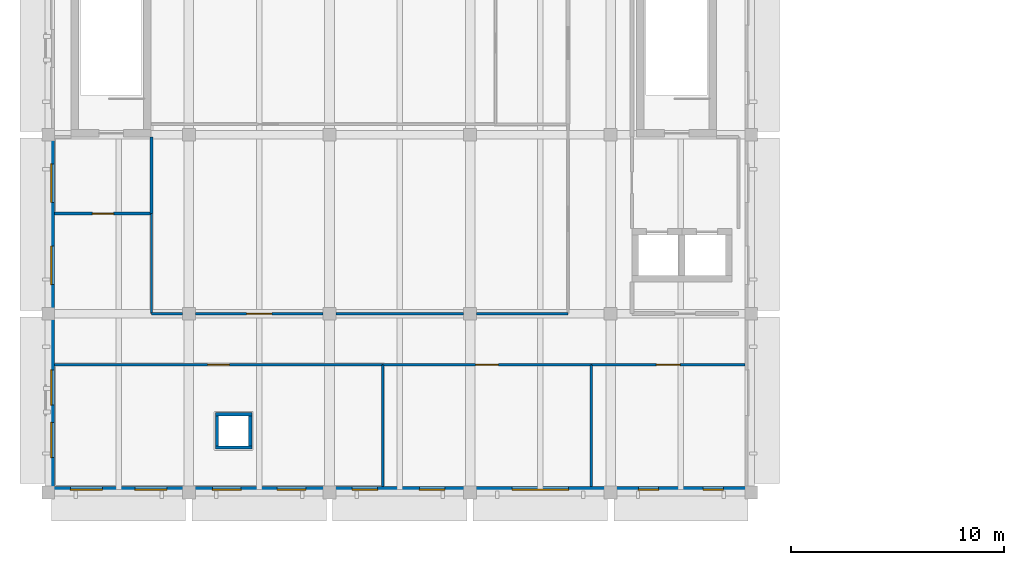
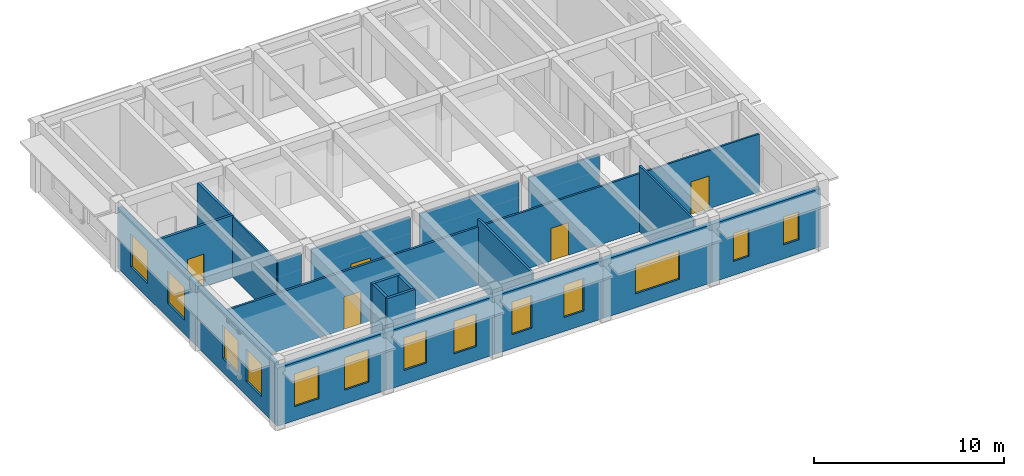
# One storey, part 6 of 20: 23 walls, 13 windows, 5 doors, 18 openings.
"""IFC4 building model written with IfcOpenShell, lengths in metres."""

from ifc_helpers import new_model, si_unit, direction, frame, frame_2d, origin, place, context, subcontext, project, spatial, rectangle, extrude, material, layer, layer_set, type_object, element, fill, save


model = new_model("IFC4")

# Units and contexts
model_context = context("Model", 3, precision=1e-05, world=origin(), true_north=direction((0.0, 1.0)))
body_context = subcontext(model_context, "Body", "Model", "MODEL_VIEW")
ifc_project = project(units=[si_unit("LENGTHUNIT", "METRE"), si_unit("AREAUNIT", "SQUARE_METRE"), si_unit("VOLUMEUNIT", "CUBIC_METRE"), si_unit("PLANEANGLEUNIT", "RADIAN"), si_unit("MASSUNIT", "GRAM", prefix="KILO")], contexts=[model_context])

# Site, building, storey
site_placement = place(None, origin())
site = spatial("IfcSite", under=ifc_project, at=site_placement, CompositionType="ELEMENT")
building_placement = place(site_placement, origin())
building = spatial("IfcBuilding", under=site, at=building_placement, Name="Kolvaren Faculty of Natural Sciences", CompositionType="ELEMENT")
storey_placement = place(building_placement, frame((0.0, 0.0, 24.0)))
storey = spatial("IfcBuildingStorey", under=building, at=storey_placement, Name="L05", CompositionType="ELEMENT", Elevation=24.0)

# Wall, openings, windows
ifc_material_1 = material(Name="Precast concrete C35/45", Category="concrete")
ifc_layer_1 = layer(ifc_material_1, 0.280029296875)
ifc_layer_set_1 = layer_set([ifc_layer_1], Name="Precast concrete C35/45")
wall_type_1 = type_object("IfcWallType", Name="ExteriorPrecastWall_280", PredefinedType="STANDARD", material=ifc_layer_set_1)
wall_1_placement = place(storey_placement, frame((39.800048828125, 17.139892578125, 0.0), z_axis=(0.0, 0.0, 1.0), x_axis=(-1.0, 0.0, 0.0)))
wall_1 = element("IfcWall", 1, at=wall_1_placement, inside=storey, type_object=wall_type_1, Name="L05 exterior masonry wall EW-280 (672)", PredefinedType="STANDARD", context=body_context, shape_type="SweptSolid", body=[
    extrude(rectangle(XDim=6.60009765625, YDim=0.280029296875, at=frame_2d((3.300048828125, 0.0))), origin(), (0.0, 0.0, 1.0), 3.735107421875),
])
opening_1_placement = place(wall_1_placement, frame((1.306884765625, 0.0, 0.89990234375)))
opening_1 = element("IfcOpeningElement", 2, at=opening_1_placement, cuts=wall_1, Name="Opening WIN-23", PredefinedType="OPENING", context=body_context, shape_type="SweptSolid", body=[
    extrude(rectangle(XDim=0.949951171875, YDim=1.800048828125, at=frame_2d((0.47509765625, 0.89990234375))), frame((0.0, 0.14990234375, 0.0), z_axis=(0.0, -1.0, 0.0), x_axis=(1.0, 0.0, 0.0)), (0.0, 0.0, 1.0), 0.300048828125),
])
opening_2_placement = place(wall_1_placement, frame((4.343017578125, 0.0, 0.89990234375)))
opening_2 = element("IfcOpeningElement", 3, at=opening_2_placement, cuts=wall_1, Name="Opening WIN-23", PredefinedType="OPENING", context=body_context, shape_type="SweptSolid", body=[
    extrude(rectangle(XDim=0.949951171875, YDim=1.800048828125, at=frame_2d((0.47509765625, 0.89990234375))), frame((0.0, 0.14990234375, 0.0), z_axis=(0.0, -1.0, 0.0), x_axis=(1.0, 0.0, 0.0)), (0.0, 0.0, 1.0), 0.300048828125),
])
ifc_material_2 = material(Name="Double low-E solar control insulated glazing", Category="glass")
window_type_1 = type_object("IfcWindowType", Name="AluWindow_WIN23_950x1800", PartitioningType="SINGLE_PANEL", PredefinedType="WINDOW", material=ifc_material_2)
window_1_placement = place(opening_1_placement, origin())
window_1 = element("IfcWindow", 4, at=window_1_placement, inside=storey, type_object=window_type_1, Name="WIN-L05-0493", OverallHeight=1.800048828125, OverallWidth=0.949951171875, PartitioningType="SINGLE_PANEL", PredefinedType="WINDOW", context=body_context, shape_type="SweptSolid", body=[
    extrude(rectangle(XDim=0.949951171875, YDim=1.800048828125, at=frame_2d((0.47509765625, 0.89990234375))), frame((0.0, 0.030029296875, 0.0), z_axis=(0.0, -1.0, 0.0), x_axis=(1.0, 0.0, 0.0)), (0.0, 0.0, 1.0), 0.06005859375),
])
fill(opening_1, window_1)
window_2_placement = place(opening_2_placement, origin())
window_2 = element("IfcWindow", 5, at=window_2_placement, inside=storey, type_object=window_type_1, Name="WIN-L05-0494", OverallHeight=1.800048828125, OverallWidth=0.949951171875, PartitioningType="SINGLE_PANEL", PredefinedType="WINDOW", context=body_context, shape_type="SweptSolid", body=[
    extrude(rectangle(XDim=0.949951171875, YDim=1.800048828125, at=frame_2d((0.47509765625, 0.89990234375))), frame((0.0, 0.030029296875, 0.0), z_axis=(0.0, -1.0, 0.0), x_axis=(1.0, 0.0, 0.0)), (0.0, 0.0, 1.0), 0.06005859375),
])
fill(opening_2, window_2)

# Wall, opening, window
wall_2_placement = place(storey_placement, frame((33.199951171875, 17.139892578125, 0.0), z_axis=(0.0, 0.0, 1.0), x_axis=(-1.0, 0.0, 0.0)))
wall_2 = element("IfcWall", 6, at=wall_2_placement, inside=storey, type_object=wall_type_1, Name="L05 exterior masonry wall EW-280 (673)", PredefinedType="STANDARD", context=body_context, shape_type="SweptSolid", body=[
    extrude(rectangle(XDim=6.599853515625, YDim=0.280029296875, at=frame_2d((3.2998046875, 0.0))), origin(), (0.0, 0.0, 1.0), 3.735107421875),
])
opening_3_placement = place(wall_2_placement, frame((1.97509765625, 0.0, 0.89990234375)))
opening_3 = element("IfcOpeningElement", 7, at=opening_3_placement, cuts=wall_2, Name="Opening WIN-24", PredefinedType="OPENING", context=body_context, shape_type="SweptSolid", body=[
    extrude(rectangle(XDim=2.64990234375, YDim=1.85009765625, at=frame_2d((1.324951171875, 0.925048828125))), frame((0.0, 0.14990234375, 0.0), z_axis=(0.0, -1.0, 0.0), x_axis=(1.0, 0.0, 0.0)), (0.0, 0.0, 1.0), 0.300048828125),
])
window_type_2 = type_object("IfcWindowType", Name="AluWindow_WIN24_2650x1850", PartitioningType="SINGLE_PANEL", PredefinedType="WINDOW", material=ifc_material_2)
window_3_placement = place(opening_3_placement, origin())
window_3 = element("IfcWindow", 8, at=window_3_placement, inside=storey, type_object=window_type_2, Name="WIN-L05-0495", OverallHeight=1.85009765625, OverallWidth=2.64990234375, PartitioningType="SINGLE_PANEL", PredefinedType="WINDOW", context=body_context, shape_type="SweptSolid", body=[
    extrude(rectangle(XDim=2.64990234375, YDim=1.85009765625, at=frame_2d((1.324951171875, 0.925048828125))), frame((0.0, 0.030029296875, 0.0), z_axis=(0.0, -1.0, 0.0), x_axis=(1.0, 0.0, 0.0)), (0.0, 0.0, 1.0), 0.06005859375),
])
fill(opening_3, window_3)

# Wall, openings, windows
wall_3_placement = place(storey_placement, frame((26.60009765625, 17.139892578125, 0.0), z_axis=(0.0, 0.0, 1.0), x_axis=(-1.0, 0.0, 0.0)))
wall_3 = element("IfcWall", 9, at=wall_3_placement, inside=storey, type_object=wall_type_1, Name="L05 exterior masonry wall EW-280 (674)", PredefinedType="STANDARD", context=body_context, shape_type="SweptSolid", body=[
    extrude(rectangle(XDim=6.60009765625, YDim=0.280029296875, at=frame_2d((3.300048828125, 0.0))), origin(), (0.0, 0.0, 1.0), 3.735107421875),
])
opening_4_placement = place(wall_3_placement, frame((1.181884765625, 0.0, 0.89990234375)))
opening_4 = element("IfcOpeningElement", 10, at=opening_4_placement, cuts=wall_3, Name="Opening WIN-01", PredefinedType="OPENING", context=body_context, shape_type="SweptSolid", body=[
    extrude(rectangle(XDim=1.199951171875, YDim=2.10009765625, at=frame_2d((0.60009765625, 1.050048828125))), frame((0.0, 0.14990234375, 0.0), z_axis=(0.0, -1.0, 0.0), x_axis=(1.0, 0.0, 0.0)), (0.0, 0.0, 1.0), 0.300048828125),
])
opening_5_placement = place(wall_3_placement, frame((4.340087890625, 0.0, 0.89990234375)))
opening_5 = element("IfcOpeningElement", 11, at=opening_5_placement, cuts=wall_3, Name="Opening WIN-01", PredefinedType="OPENING", context=body_context, shape_type="SweptSolid", body=[
    extrude(rectangle(XDim=1.199951171875, YDim=2.10009765625, at=frame_2d((0.60009765625, 1.050048828125))), frame((0.0, 0.14990234375, 0.0), z_axis=(0.0, -1.0, 0.0), x_axis=(1.0, 0.0, 0.0)), (0.0, 0.0, 1.0), 0.300048828125),
])
window_type_3 = type_object("IfcWindowType", Name="AluWindow_WIN01_1200x2100", PartitioningType="SINGLE_PANEL", PredefinedType="WINDOW", material=ifc_material_2)
window_4_placement = place(opening_4_placement, origin())
window_4 = element("IfcWindow", 12, at=window_4_placement, inside=storey, type_object=window_type_3, Name="WIN-L05-0496", OverallHeight=2.10009765625, OverallWidth=1.199951171875, PartitioningType="SINGLE_PANEL", PredefinedType="WINDOW", context=body_context, shape_type="SweptSolid", body=[
    extrude(rectangle(XDim=1.199951171875, YDim=2.10009765625, at=frame_2d((0.60009765625, 1.050048828125))), frame((0.0, 0.030029296875, 0.0), z_axis=(0.0, -1.0, 0.0), x_axis=(1.0, 0.0, 0.0)), (0.0, 0.0, 1.0), 0.06005859375),
])
fill(opening_4, window_4)
window_5_placement = place(opening_5_placement, origin())
window_5 = element("IfcWindow", 13, at=window_5_placement, inside=storey, type_object=window_type_3, Name="WIN-L05-0497", OverallHeight=2.10009765625, OverallWidth=1.199951171875, PartitioningType="SINGLE_PANEL", PredefinedType="WINDOW", context=body_context, shape_type="SweptSolid", body=[
    extrude(rectangle(XDim=1.199951171875, YDim=2.10009765625, at=frame_2d((0.60009765625, 1.050048828125))), frame((0.0, 0.030029296875, 0.0), z_axis=(0.0, -1.0, 0.0), x_axis=(1.0, 0.0, 0.0)), (0.0, 0.0, 1.0), 0.06005859375),
])
fill(opening_5, window_5)

wall_4_placement = place(storey_placement, frame((20.0, 17.139892578125, 0.0), z_axis=(0.0, 0.0, 1.0), x_axis=(-1.0, 0.0, 0.0)))
wall_4 = element("IfcWall", 14, at=wall_4_placement, inside=storey, type_object=wall_type_1, Name="L05 exterior masonry wall EW-280 (675)", PredefinedType="STANDARD", context=body_context, shape_type="SweptSolid", body=[
    extrude(rectangle(XDim=6.60009765625, YDim=0.280029296875, at=frame_2d((3.300048828125, 0.0))), origin(), (0.0, 0.0, 1.0), 3.735107421875),
])
opening_6_placement = place(wall_4_placement, frame((1.10693359375, 0.0, 0.89990234375)))
opening_6 = element("IfcOpeningElement", 15, at=opening_6_placement, cuts=wall_4, Name="Opening WIN-02", PredefinedType="OPENING", context=body_context, shape_type="SweptSolid", body=[
    extrude(rectangle(XDim=1.35009765625, YDim=2.10009765625, at=frame_2d((0.675048828125, 1.050048828125))), frame((0.0, 0.14990234375, 0.0), z_axis=(0.0, -1.0, 0.0), x_axis=(1.0, 0.0, 0.0)), (0.0, 0.0, 1.0), 0.300048828125),
])
opening_7_placement = place(wall_4_placement, frame((4.14306640625, 0.0, 0.89990234375)))
opening_7 = element("IfcOpeningElement", 16, at=opening_7_placement, cuts=wall_4, Name="Opening WIN-02", PredefinedType="OPENING", context=body_context, shape_type="SweptSolid", body=[
    extrude(rectangle(XDim=1.35009765625, YDim=2.10009765625, at=frame_2d((0.675048828125, 1.050048828125))), frame((0.0, 0.14990234375, 0.0), z_axis=(0.0, -1.0, 0.0), x_axis=(1.0, 0.0, 0.0)), (0.0, 0.0, 1.0), 0.300048828125),
])
window_type_4 = type_object("IfcWindowType", Name="AluWindow_WIN02_1350x2100", PartitioningType="SINGLE_PANEL", PredefinedType="WINDOW", material=ifc_material_2)
window_6_placement = place(opening_6_placement, origin())
window_6 = element("IfcWindow", 17, at=window_6_placement, inside=storey, type_object=window_type_4, Name="WIN-L05-0498", OverallHeight=2.10009765625, OverallWidth=1.35009765625, PartitioningType="SINGLE_PANEL", PredefinedType="WINDOW", context=body_context, shape_type="SweptSolid", body=[
    extrude(rectangle(XDim=1.35009765625, YDim=2.10009765625, at=frame_2d((0.675048828125, 1.050048828125))), frame((0.0, 0.030029296875, 0.0), z_axis=(0.0, -1.0, 0.0), x_axis=(1.0, 0.0, 0.0)), (0.0, 0.0, 1.0), 0.06005859375),
])
fill(opening_6, window_6)
window_7_placement = place(opening_7_placement, origin())
window_7 = element("IfcWindow", 18, at=window_7_placement, inside=storey, type_object=window_type_4, Name="WIN-L05-0499", OverallHeight=2.10009765625, OverallWidth=1.35009765625, PartitioningType="SINGLE_PANEL", PredefinedType="WINDOW", context=body_context, shape_type="SweptSolid", body=[
    extrude(rectangle(XDim=1.35009765625, YDim=2.10009765625, at=frame_2d((0.675048828125, 1.050048828125))), frame((0.0, 0.030029296875, 0.0), z_axis=(0.0, -1.0, 0.0), x_axis=(1.0, 0.0, 0.0)), (0.0, 0.0, 1.0), 0.06005859375),
])
fill(opening_7, window_7)

wall_5_placement = place(storey_placement, frame((13.39990234375, 17.139892578125, 0.0), z_axis=(0.0, 0.0, 1.0), x_axis=(-1.0, 0.0, 0.0)))
wall_5 = element("IfcWall", 19, at=wall_5_placement, inside=storey, type_object=wall_type_1, Name="L05 exterior masonry wall EW-280 (676)", PredefinedType="STANDARD", context=body_context, shape_type="SweptSolid", body=[
    extrude(rectangle(XDim=6.599853515625, YDim=0.280029296875, at=frame_2d((3.2998046875, 0.0))), origin(), (0.0, 0.0, 1.0), 3.735107421875),
])
opening_8_placement = place(wall_5_placement, frame((1.031982421875, 0.0, 0.89990234375)))
opening_8 = element("IfcOpeningElement", 20, at=opening_8_placement, cuts=wall_5, Name="Opening WIN-03", PredefinedType="OPENING", context=body_context, shape_type="SweptSolid", body=[
    extrude(rectangle(XDim=1.5, YDim=2.10009765625, at=frame_2d((0.75, 1.050048828125))), frame((0.0, 0.14990234375, 0.0), z_axis=(0.0, -1.0, 0.0), x_axis=(1.0, 0.0, 0.0)), (0.0, 0.0, 1.0), 0.300048828125),
])
opening_9_placement = place(wall_5_placement, frame((4.068115234375, 0.0, 0.89990234375)))
opening_9 = element("IfcOpeningElement", 21, at=opening_9_placement, cuts=wall_5, Name="Opening WIN-03", PredefinedType="OPENING", context=body_context, shape_type="SweptSolid", body=[
    extrude(rectangle(XDim=1.5, YDim=2.10009765625, at=frame_2d((0.75, 1.050048828125))), frame((0.0, 0.14990234375, 0.0), z_axis=(0.0, -1.0, 0.0), x_axis=(1.0, 0.0, 0.0)), (0.0, 0.0, 1.0), 0.300048828125),
])
window_type_5 = type_object("IfcWindowType", Name="AluWindow_WIN03_1500x2100", PartitioningType="SINGLE_PANEL", PredefinedType="WINDOW", material=ifc_material_2)
window_8_placement = place(opening_8_placement, origin())
window_8 = element("IfcWindow", 22, at=window_8_placement, inside=storey, type_object=window_type_5, Name="WIN-L05-0500", OverallHeight=2.10009765625, OverallWidth=1.5, PartitioningType="SINGLE_PANEL", PredefinedType="WINDOW", context=body_context, shape_type="SweptSolid", body=[
    extrude(rectangle(XDim=1.5, YDim=2.10009765625, at=frame_2d((0.75, 1.050048828125))), frame((0.0, 0.030029296875, 0.0), z_axis=(0.0, -1.0, 0.0), x_axis=(1.0, 0.0, 0.0)), (0.0, 0.0, 1.0), 0.06005859375),
])
fill(opening_8, window_8)
window_9_placement = place(opening_9_placement, origin())
window_9 = element("IfcWindow", 23, at=window_9_placement, inside=storey, type_object=window_type_5, Name="WIN-L05-0501", OverallHeight=2.10009765625, OverallWidth=1.5, PartitioningType="SINGLE_PANEL", PredefinedType="WINDOW", context=body_context, shape_type="SweptSolid", body=[
    extrude(rectangle(XDim=1.5, YDim=2.10009765625, at=frame_2d((0.75, 1.050048828125))), frame((0.0, 0.030029296875, 0.0), z_axis=(0.0, -1.0, 0.0), x_axis=(1.0, 0.0, 0.0)), (0.0, 0.0, 1.0), 0.06005859375),
])
fill(opening_9, window_9)

wall_6_placement = place(storey_placement, frame((6.93994140625, 17.280029296875, 0.0), z_axis=(0.0, 0.0, 1.0), x_axis=(0.0, 1.0, 0.0)))
wall_6 = element("IfcWall", 24, at=wall_6_placement, inside=storey, type_object=wall_type_1, Name="L05 exterior masonry wall EW-280 (677)", PredefinedType="STANDARD", context=body_context, shape_type="SweptSolid", body=[
    extrude(rectangle(XDim=8.119873046875, YDim=0.280029296875, at=frame_2d((4.06005859375, 0.0))), origin(), (0.0, 0.0, 1.0), 3.885009765625),
])
opening_10_placement = place(wall_6_placement, frame((1.367431640625, 0.0, 0.89990234375)))
opening_10 = element("IfcOpeningElement", 25, at=opening_10_placement, cuts=wall_6, Name="Opening WIN-04", PredefinedType="OPENING", context=body_context, shape_type="SweptSolid", body=[
    extrude(rectangle(XDim=1.64990234375, YDim=2.10009765625, at=frame_2d((0.824951171875, 1.050048828125))), frame((0.0, 0.14990234375, 0.0), z_axis=(0.0, -1.0, 0.0), x_axis=(1.0, 0.0, 0.0)), (0.0, 0.0, 1.0), 0.300048828125),
])
opening_11_placement = place(wall_6_placement, frame((3.830078125, 0.0, 0.89990234375)))
opening_11 = element("IfcOpeningElement", 26, at=opening_11_placement, cuts=wall_6, Name="Opening WIN-04", PredefinedType="OPENING", context=body_context, shape_type="SweptSolid", body=[
    extrude(rectangle(XDim=1.64990234375, YDim=2.10009765625, at=frame_2d((0.824951171875, 1.050048828125))), frame((0.0, 0.14990234375, 0.0), z_axis=(0.0, -1.0, 0.0), x_axis=(1.0, 0.0, 0.0)), (0.0, 0.0, 1.0), 0.300048828125),
])
window_type_6 = type_object("IfcWindowType", Name="AluWindow_WIN04_1650x2100", PartitioningType="SINGLE_PANEL", PredefinedType="WINDOW", material=ifc_material_2)
window_10_placement = place(opening_10_placement, origin())
window_10 = element("IfcWindow", 27, at=window_10_placement, inside=storey, type_object=window_type_6, Name="WIN-L05-0502", OverallHeight=2.10009765625, OverallWidth=1.64990234375, PartitioningType="SINGLE_PANEL", PredefinedType="WINDOW", context=body_context, shape_type="SweptSolid", body=[
    extrude(rectangle(XDim=1.64990234375, YDim=2.10009765625, at=frame_2d((0.824951171875, 1.050048828125))), frame((0.0, 0.030029296875, 0.0), z_axis=(0.0, -1.0, 0.0), x_axis=(1.0, 0.0, 0.0)), (0.0, 0.0, 1.0), 0.06005859375),
])
fill(opening_10, window_10)
window_11_placement = place(opening_11_placement, origin())
window_11 = element("IfcWindow", 28, at=window_11_placement, inside=storey, type_object=window_type_6, Name="WIN-L05-0503", OverallHeight=2.10009765625, OverallWidth=1.64990234375, PartitioningType="SINGLE_PANEL", PredefinedType="WINDOW", context=body_context, shape_type="SweptSolid", body=[
    extrude(rectangle(XDim=1.64990234375, YDim=2.10009765625, at=frame_2d((0.824951171875, 1.050048828125))), frame((0.0, 0.030029296875, 0.0), z_axis=(0.0, -1.0, 0.0), x_axis=(1.0, 0.0, 0.0)), (0.0, 0.0, 1.0), 0.06005859375),
])
fill(opening_11, window_11)

wall_7_placement = place(storey_placement, frame((6.93994140625, 25.39990234375, 0.0), z_axis=(0.0, 0.0, 1.0), x_axis=(0.0, 1.0, 0.0)))
wall_7 = element("IfcWall", 29, at=wall_7_placement, inside=storey, type_object=wall_type_1, Name="L05 exterior masonry wall EW-280 (678)", PredefinedType="STANDARD", context=body_context, shape_type="SweptSolid", body=[
    extrude(rectangle(XDim=8.400146484375, YDim=0.280029296875, at=frame_2d((4.2001953125, 0.0))), origin(), (0.0, 0.0, 1.0), 3.885009765625),
])
opening_12_placement = place(wall_7_placement, frame((1.367919921875, 0.0, 0.89990234375)))
opening_12 = element("IfcOpeningElement", 30, at=opening_12_placement, cuts=wall_7, Name="Opening WIN-05", PredefinedType="OPENING", context=body_context, shape_type="SweptSolid", body=[
    extrude(rectangle(XDim=1.800048828125, YDim=2.10009765625, at=frame_2d((0.89990234375, 1.050048828125))), frame((0.0, 0.14990234375, 0.0), z_axis=(0.0, -1.0, 0.0), x_axis=(1.0, 0.0, 0.0)), (0.0, 0.0, 1.0), 0.300048828125),
])
opening_13_placement = place(wall_7_placement, frame((5.23193359375, 0.0, 0.89990234375)))
opening_13 = element("IfcOpeningElement", 31, at=opening_13_placement, cuts=wall_7, Name="Opening WIN-05", PredefinedType="OPENING", context=body_context, shape_type="SweptSolid", body=[
    extrude(rectangle(XDim=1.800048828125, YDim=2.10009765625, at=frame_2d((0.89990234375, 1.050048828125))), frame((0.0, 0.14990234375, 0.0), z_axis=(0.0, -1.0, 0.0), x_axis=(1.0, 0.0, 0.0)), (0.0, 0.0, 1.0), 0.300048828125),
])
window_type_7 = type_object("IfcWindowType", Name="AluWindow_WIN05_1800x2100", PartitioningType="SINGLE_PANEL", PredefinedType="WINDOW", material=ifc_material_2)
window_12_placement = place(opening_12_placement, origin())
window_12 = element("IfcWindow", 32, at=window_12_placement, inside=storey, type_object=window_type_7, Name="WIN-L05-0504", OverallHeight=2.10009765625, OverallWidth=1.800048828125, PartitioningType="SINGLE_PANEL", PredefinedType="WINDOW", context=body_context, shape_type="SweptSolid", body=[
    extrude(rectangle(XDim=1.800048828125, YDim=2.10009765625, at=frame_2d((0.89990234375, 1.050048828125))), frame((0.0, 0.030029296875, 0.0), z_axis=(0.0, -1.0, 0.0), x_axis=(1.0, 0.0, 0.0)), (0.0, 0.0, 1.0), 0.06005859375),
])
fill(opening_12, window_12)
window_13_placement = place(opening_13_placement, origin())
window_13 = element("IfcWindow", 33, at=window_13_placement, inside=storey, type_object=window_type_7, Name="WIN-L05-0505", OverallHeight=2.10009765625, OverallWidth=1.800048828125, PartitioningType="SINGLE_PANEL", PredefinedType="WINDOW", context=body_context, shape_type="SweptSolid", body=[
    extrude(rectangle(XDim=1.800048828125, YDim=2.10009765625, at=frame_2d((0.89990234375, 1.050048828125))), frame((0.0, 0.030029296875, 0.0), z_axis=(0.0, -1.0, 0.0), x_axis=(1.0, 0.0, 0.0)), (0.0, 0.0, 1.0), 0.06005859375),
])
fill(opening_13, window_13)

# Wall, opening, door
ifc_material_3 = material(Name="Acoustic mineral-wool insulated gypsum partition")
ifc_layer_2 = layer(ifc_material_3, 0.1298828125)
ifc_layer_set_2 = layer_set([ifc_layer_2], Name="Acoustic mineral-wool insulated gypsum partition")
wall_type_2 = type_object("IfcWallType", Name="OfficePartitionWall_130", PredefinedType="PARTITIONING", material=ifc_layer_set_2)
wall_8_placement = place(storey_placement, frame((7.08203125, 23.0, 0.0), z_axis=(0.0, 0.0, 1.0), x_axis=(1.0, 0.0, 0.0)))
wall_8 = element("IfcWall", 34, at=wall_8_placement, inside=storey, type_object=wall_type_2, Name="L05 interior partition PW-130", PredefinedType="PARTITIONING", context=body_context, shape_type="SweptSolid", body=[
    extrude(rectangle(XDim=15.41796875, YDim=0.1298828125, at=frame_2d((7.708984375, 0.0))), origin(), (0.0, 0.0, 1.0), 3.735107421875),
])
opening_14_placement = place(wall_8_placement, frame((7.194091796875, 0.0, 0.0)))
opening_14 = element("IfcOpeningElement", 35, at=opening_14_placement, cuts=wall_8, Name="Opening ID-15", PredefinedType="OPENING", context=body_context, shape_type="SweptSolid", body=[
    extrude(rectangle(XDim=1.030029296875, YDim=2.10009765625, at=frame_2d((0.51513671875, 1.050048828125))), frame((0.0, 0.074951171875, 0.0), z_axis=(0.0, -1.0, 0.0), x_axis=(1.0, 0.0, 0.0)), (0.0, 0.0, 1.0), 0.14990234375),
])
ifc_material_4 = material(Name="Solid-core hardwood veneer door leaf in steel frame", Category="steel")
door_type_1 = type_object("IfcDoorType", Name="InteriorRoomDoor_1030x2100", OperationType="NOTDEFINED", PredefinedType="DOOR", material=ifc_material_4)
door_1_placement = place(opening_14_placement, origin())
door_1 = element("IfcDoor", 36, at=door_1_placement, inside=storey, type_object=door_type_1, Name="D-L05-0307", OperationType="SINGLE_SWING_RIGHT", OverallHeight=2.10009765625, OverallWidth=1.030029296875, PredefinedType="DOOR", context=body_context, shape_type="SweptSolid", body=[
    extrude(rectangle(XDim=1.030029296875, YDim=2.10009765625, at=frame_2d((0.51513671875, 1.050048828125))), frame((0.0, 0.02490234375, 0.0), z_axis=(0.0, -1.0, 0.0), x_axis=(1.0, 0.0, 0.0)), (0.0, 0.0, 1.0), 0.050048828125),
])
fill(opening_14, door_1)

# Wall
wall_9_placement = place(storey_placement, frame((22.5, 23.0, 0.0), z_axis=(0.0, 0.0, 1.0), x_axis=(0.0, -1.0, 0.0)))
element("IfcWall", 37, at=wall_9_placement, inside=storey, type_object=wall_type_2, Name="L05 interior partition PW-130", PredefinedType="PARTITIONING", context=body_context, shape_type="SweptSolid", body=[
    extrude(rectangle(XDim=5.718017578125, YDim=0.1298828125, at=frame_2d((2.85888671875, 0.0))), origin(), (0.0, 0.0, 1.0), 4.215087890625),
])

# Wall, opening, door
ifc_material_5 = material(Name="Double fire-rated gypsum board on 100 mm steel stud", Category="steel")
ifc_layer_3 = layer(ifc_material_5, 0.14990234375)
ifc_layer_set_3 = layer_set([ifc_layer_3], Name="Double fire-rated gypsum board on 100 mm steel stud")
wall_type_3 = type_object("IfcWallType", Name="RatedCorridorWall_150", PredefinedType="PARTITIONING", material=ifc_layer_set_3)
wall_10_placement = place(storey_placement, frame((11.64990234375, 30.10009765625, 0.0), z_axis=(0.0, 0.0, 1.0), x_axis=(-1.0, 0.0, 0.0)))
wall_10 = element("IfcWall", 38, at=wall_10_placement, inside=storey, type_object=wall_type_3, Name="L05 interior partition LW-150", PredefinedType="PARTITIONING", context=body_context, shape_type="SweptSolid", body=[
    extrude(rectangle(XDim=4.56787109375, YDim=0.14990234375, at=frame_2d((2.283935546875, 0.0))), origin(), (0.0, 0.0, 1.0), 3.985107421875),
])
opening_15_placement = place(wall_10_placement, frame((1.783935546875, 0.0, 0.0)))
opening_15 = element("IfcOpeningElement", 39, at=opening_15_placement, cuts=wall_10, Name="Opening FD30", PredefinedType="OPENING", context=body_context, shape_type="SweptSolid", body=[
    extrude(rectangle(XDim=1.0, YDim=2.10009765625, at=frame_2d((0.5, 1.050048828125))), frame((0.0, 0.0849609375, 0.0), z_axis=(0.0, -1.0, 0.0), x_axis=(1.0, 0.0, 0.0)), (0.0, 0.0, 1.0), 0.169921875),
])
ifc_material_6 = material(Name="Fire-rated solid-core hardwood door leaf in steel frame", Category="steel")
door_type_2 = type_object("IfcDoorType", Name="CorridorFireDoor_1000x2100", OperationType="NOTDEFINED", PredefinedType="DOOR", material=ifc_material_6)
door_2_placement = place(opening_15_placement, origin())
door_2 = element("IfcDoor", 40, at=door_2_placement, inside=storey, type_object=door_type_2, Name="D-L05-0303", OperationType="SINGLE_SWING_RIGHT", OverallHeight=2.10009765625, OverallWidth=1.0, PredefinedType="DOOR", context=body_context, shape_type="SweptSolid", body=[
    extrude(rectangle(XDim=1.0, YDim=2.10009765625, at=frame_2d((0.5, 1.050048828125))), frame((0.0, 0.02490234375, 0.0), z_axis=(0.0, -1.0, 0.0), x_axis=(1.0, 0.0, 0.0)), (0.0, 0.0, 1.0), 0.050048828125),
])
fill(opening_15, door_2)

# Walls
wall_11_placement = place(storey_placement, frame((11.64990234375, 33.699951171875, 0.0), z_axis=(0.0, 0.0, 1.0), x_axis=(0.0, -1.0, 0.0)))
element("IfcWall", 41, at=wall_11_placement, inside=storey, type_object=wall_type_3, Name="L05 interior partition LW-150", PredefinedType="PARTITIONING", context=body_context, shape_type="SweptSolid", body=[
    extrude(rectangle(XDim=3.599853515625, YDim=0.14990234375, at=frame_2d((1.7998046875, 0.0))), origin(), (0.0, 0.0, 1.0), 3.885009765625),
])
ifc_layer_4 = layer(ifc_material_5, 0.159912109375)
ifc_layer_set_4 = layer_set([ifc_layer_4], Name="Double fire-rated gypsum board on 100 mm steel stud")
wall_type_4 = type_object("IfcWallType", Name="RiserShaftWall_160", PredefinedType="PARTITIONING", material=ifc_layer_set_4)
for number, where, z_axis, x_axis, name in (
    (42, (14.639892578125, 19.1201171875, 0.0), (0.0, 0.0, 1.0), (1.0, 0.0, 0.0), "L05 service riser shaft wall S"),
    (43, (14.639892578125, 20.679931640625, 0.0), (0.0, 0.0, 1.0), (1.0, 0.0, 0.0), "L05 service riser shaft wall N"),
):
    element("IfcWall", number, at=place(storey_placement, frame(where, z_axis=z_axis, x_axis=x_axis)), inside=storey, type_object=wall_type_4, Name=name, PredefinedType="PARTITIONING", context=body_context, shape_type="SweptSolid", body=[
        extrude(rectangle(XDim=1.72021484375, YDim=0.159912109375, at=frame_2d((0.860107421875, 0.0))), origin(), (0.0, 0.0, 1.0), 4.215087890625),
    ])
for number, where, z_axis, x_axis, name in (
    (44, (14.719970703125, 19.199951171875, 0.0), (0.0, 0.0, 1.0), (0.0, 1.0, 0.0), "L05 service riser shaft wall W"),
    (45, (16.280029296875, 19.199951171875, 0.0), (0.0, 0.0, 1.0), (0.0, 1.0, 0.0), "L05 service riser shaft wall E"),
):
    element("IfcWall", number, at=place(storey_placement, frame(where, z_axis=z_axis, x_axis=x_axis)), inside=storey, type_object=wall_type_4, Name=name, PredefinedType="PARTITIONING", context=body_context, shape_type="SweptSolid", body=[
        extrude(rectangle(XDim=1.400146484375, YDim=0.159912109375, at=frame_2d((0.7001953125, 0.0))), origin(), (0.0, 0.0, 1.0), 4.215087890625),
    ])

# Wall, opening, door
ifc_layer_5 = layer(ifc_material_3, 0.114990234375)
ifc_layer_set_5 = layer_set([ifc_layer_5], Name="Acoustic mineral-wool insulated gypsum partition")
wall_type_5 = type_object("IfcWallType", Name="StorePartitionWall_115", PredefinedType="PARTITIONING", material=ifc_layer_set_5)
wall_12_placement = place(storey_placement, frame((32.300048828125, 23.0, 0.0), z_axis=(0.0, 0.0, 1.0), x_axis=(1.0, 0.0, 0.0)))
wall_12 = element("IfcWall", 46, at=wall_12_placement, inside=storey, type_object=wall_type_5, Name="L05 interior partition PW-115", PredefinedType="PARTITIONING", context=body_context, shape_type="SweptSolid", body=[
    extrude(rectangle(XDim=7.218017578125, YDim=0.114990234375, at=frame_2d((3.60888671875, 0.0))), origin(), (0.0, 0.0, 1.0), 3.735107421875),
])
opening_16_placement = place(wall_12_placement, frame((3.049072265625, 0.0, 0.0)))
opening_16 = element("IfcOpeningElement", 47, at=opening_16_placement, cuts=wall_12, Name="Opening ID-17", PredefinedType="OPENING", context=body_context, shape_type="SweptSolid", body=[
    extrude(rectangle(XDim=1.1201171875, YDim=2.10009765625, at=frame_2d((0.56005859375, 1.050048828125))), frame((0.0, 0.0673828125, 0.0), z_axis=(0.0, -1.0, 0.0), x_axis=(1.0, 0.0, 0.0)), (0.0, 0.0, 1.0), 0.135009765625),
])
door_type_3 = type_object("IfcDoorType", Name="InteriorRoomDoor_1120x2100", OperationType="NOTDEFINED", PredefinedType="DOOR", material=ifc_material_4)
door_3_placement = place(opening_16_placement, origin())
door_3 = element("IfcDoor", 48, at=door_3_placement, inside=storey, type_object=door_type_3, Name="D-L05-0309", OperationType="SINGLE_SWING_RIGHT", OverallHeight=2.10009765625, OverallWidth=1.1201171875, PredefinedType="DOOR", context=body_context, shape_type="SweptSolid", body=[
    extrude(rectangle(XDim=1.1201171875, YDim=2.10009765625, at=frame_2d((0.56005859375, 1.050048828125))), frame((0.0, 0.02490234375, 0.0), z_axis=(0.0, -1.0, 0.0), x_axis=(1.0, 0.0, 0.0)), (0.0, 0.0, 1.0), 0.050048828125),
])
fill(opening_16, door_3)

# Wall
ifc_layer_6 = layer(ifc_material_3, 0.1201171875)
ifc_layer_set_6 = layer_set([ifc_layer_6], Name="Acoustic mineral-wool insulated gypsum partition")
wall_type_6 = type_object("IfcWallType", Name="StudioPartitionWall_120", PredefinedType="PARTITIONING", material=ifc_layer_set_6)
wall_13_placement = place(storey_placement, frame((32.300048828125, 23.0, 0.0), z_axis=(0.0, 0.0, 1.0), x_axis=(0.0, -1.0, 0.0)))
element("IfcWall", 49, at=wall_13_placement, inside=storey, type_object=wall_type_6, Name="L05 interior partition PW-120", PredefinedType="PARTITIONING", context=body_context, shape_type="SweptSolid", body=[
    extrude(rectangle(XDim=5.718017578125, YDim=0.1201171875, at=frame_2d((2.85888671875, 0.0))), origin(), (0.0, 0.0, 1.0), 4.215087890625),
])

# Wall, opening, door
wall_14_placement = place(storey_placement, frame((22.5, 23.0, 0.0), z_axis=(0.0, 0.0, 1.0), x_axis=(1.0, 0.0, 0.0)))
wall_14 = element("IfcWall", 50, at=wall_14_placement, inside=storey, type_object=wall_type_6, Name="L05 interior partition PW-120", PredefinedType="PARTITIONING", context=body_context, shape_type="SweptSolid", body=[
    extrude(rectangle(XDim=9.800048828125, YDim=0.1201171875, at=frame_2d((4.89990234375, 0.0))), origin(), (0.0, 0.0, 1.0), 3.735107421875),
])
opening_17_placement = place(wall_14_placement, frame((4.364990234375, 0.0, 0.0)))
opening_17 = element("IfcOpeningElement", 51, at=opening_17_placement, cuts=wall_14, Name="Opening ID-16", PredefinedType="OPENING", context=body_context, shape_type="SweptSolid", body=[
    extrude(rectangle(XDim=1.070068359375, YDim=2.10009765625, at=frame_2d((0.53515625, 1.050048828125))), frame((0.0, 0.070068359375, 0.0), z_axis=(0.0, -1.0, 0.0), x_axis=(1.0, 0.0, 0.0)), (0.0, 0.0, 1.0), 0.14013671875),
])
door_type_4 = type_object("IfcDoorType", Name="InteriorRoomDoor_1070x2100", OperationType="NOTDEFINED", PredefinedType="DOOR", material=ifc_material_4)
door_4_placement = place(opening_17_placement, origin())
door_4 = element("IfcDoor", 52, at=door_4_placement, inside=storey, type_object=door_type_4, Name="D-L05-0308", OperationType="SINGLE_SWING_LEFT", OverallHeight=2.10009765625, OverallWidth=1.070068359375, PredefinedType="DOOR", context=body_context, shape_type="SweptSolid", body=[
    extrude(rectangle(XDim=1.070068359375, YDim=2.10009765625, at=frame_2d((0.53515625, 1.050048828125))), frame((0.0, 0.02490234375, 0.0), z_axis=(0.0, -1.0, 0.0), x_axis=(1.0, 0.0, 0.0)), (0.0, 0.0, 1.0), 0.050048828125),
])
fill(opening_17, door_4)

# Walls
ifc_layer_7 = layer(ifc_material_3, 0.10498046875)
ifc_layer_set_7 = layer_set([ifc_layer_7], Name="Acoustic mineral-wool insulated gypsum partition")
wall_type_7 = type_object("IfcWallType", Name="WetRoomPartition_105", PredefinedType="PARTITIONING", material=ifc_layer_set_7)
wall_15_placement = place(storey_placement, frame((31.199951171875, 25.39990234375, 0.0), z_axis=(0.0, 0.0, 1.0), x_axis=(-1.0, 0.0, 0.0)))
element("IfcWall", 53, at=wall_15_placement, inside=storey, type_object=wall_type_7, Name="L05 interior partition PW-105", PredefinedType="PARTITIONING", context=body_context, shape_type="SweptSolid", body=[
    extrude(rectangle(XDim=4.300048828125, YDim=0.10498046875, at=frame_2d((2.14990234375, 0.0))), origin(), (0.0, 0.0, 1.0), 3.885009765625),
])
wall_16_placement = place(storey_placement, frame((26.300048828125, 25.39990234375, 0.0), z_axis=(0.0, 0.0, 1.0), x_axis=(-1.0, 0.0, 0.0)))
element("IfcWall", 54, at=wall_16_placement, inside=storey, type_object=wall_type_7, Name="L05 interior partition PW-105", PredefinedType="PARTITIONING", context=body_context, shape_type="SweptSolid", body=[
    extrude(rectangle(XDim=6.0, YDim=0.10498046875, at=frame_2d((3.0, 0.0))), origin(), (0.0, 0.0, 1.0), 3.885009765625),
])

# Wall, opening, door
wall_17_placement = place(storey_placement, frame((19.699951171875, 25.39990234375, 0.0), z_axis=(0.0, 0.0, 1.0), x_axis=(-1.0, 0.0, 0.0)))
wall_17 = element("IfcWall", 55, at=wall_17_placement, inside=storey, type_object=wall_type_7, Name="L05 interior partition PW-105", PredefinedType="PARTITIONING", context=body_context, shape_type="SweptSolid", body=[
    extrude(rectangle(XDim=6.0, YDim=0.10498046875, at=frame_2d((3.0, 0.0))), origin(), (0.0, 0.0, 1.0), 3.885009765625),
])
opening_18_placement = place(wall_17_placement, frame((2.409912109375, 0.0, 0.0)))
opening_18 = element("IfcOpeningElement", 56, at=opening_18_placement, cuts=wall_17, Name="Opening ID-18", PredefinedType="OPENING", context=body_context, shape_type="SweptSolid", body=[
    extrude(rectangle(XDim=1.179931640625, YDim=2.10009765625, at=frame_2d((0.58984375, 1.050048828125))), frame((0.0, 0.0625, 0.0), z_axis=(0.0, -1.0, 0.0), x_axis=(1.0, 0.0, 0.0)), (0.0, 0.0, 1.0), 0.125),
])
door_type_5 = type_object("IfcDoorType", Name="InteriorRoomDoor_1180x2100", OperationType="NOTDEFINED", PredefinedType="DOOR", material=ifc_material_4)
door_5_placement = place(opening_18_placement, origin())
door_5 = element("IfcDoor", 57, at=door_5_placement, inside=storey, type_object=door_type_5, Name="D-L05-0311", OperationType="SINGLE_SWING_RIGHT", OverallHeight=2.10009765625, OverallWidth=1.179931640625, PredefinedType="DOOR", context=body_context, shape_type="SweptSolid", body=[
    extrude(rectangle(XDim=1.179931640625, YDim=2.10009765625, at=frame_2d((0.58984375, 1.050048828125))), frame((0.0, 0.02490234375, 0.0), z_axis=(0.0, -1.0, 0.0), x_axis=(1.0, 0.0, 0.0)), (0.0, 0.0, 1.0), 0.050048828125),
])
fill(opening_18, door_5)

# Walls
wall_18_placement = place(storey_placement, frame((13.10009765625, 25.39990234375, 0.0), z_axis=(0.0, 0.0, 1.0), x_axis=(-1.0, 0.0, 0.0)))
element("IfcWall", 58, at=wall_18_placement, inside=storey, type_object=wall_type_7, Name="L05 interior partition PW-105", PredefinedType="PARTITIONING", context=body_context, shape_type="SweptSolid", body=[
    extrude(rectangle(XDim=1.4501953125, YDim=0.10498046875, at=frame_2d((0.72509765625, 0.0))), origin(), (0.0, 0.0, 1.0), 3.885009765625),
])
wall_19_placement = place(storey_placement, frame((11.64990234375, 25.39990234375, 0.0), z_axis=(0.0, 0.0, 1.0), x_axis=(0.0, 1.0, 0.0)))
element("IfcWall", 59, at=wall_19_placement, inside=storey, type_object=wall_type_7, Name="L05 interior partition PW-105", PredefinedType="PARTITIONING", context=body_context, shape_type="SweptSolid", body=[
    extrude(rectangle(XDim=4.7001953125, YDim=0.10498046875, at=frame_2d((2.35009765625, 0.0))), origin(), (0.0, 0.0, 1.0), 3.885009765625),
])

save(model, "model.ifc")
